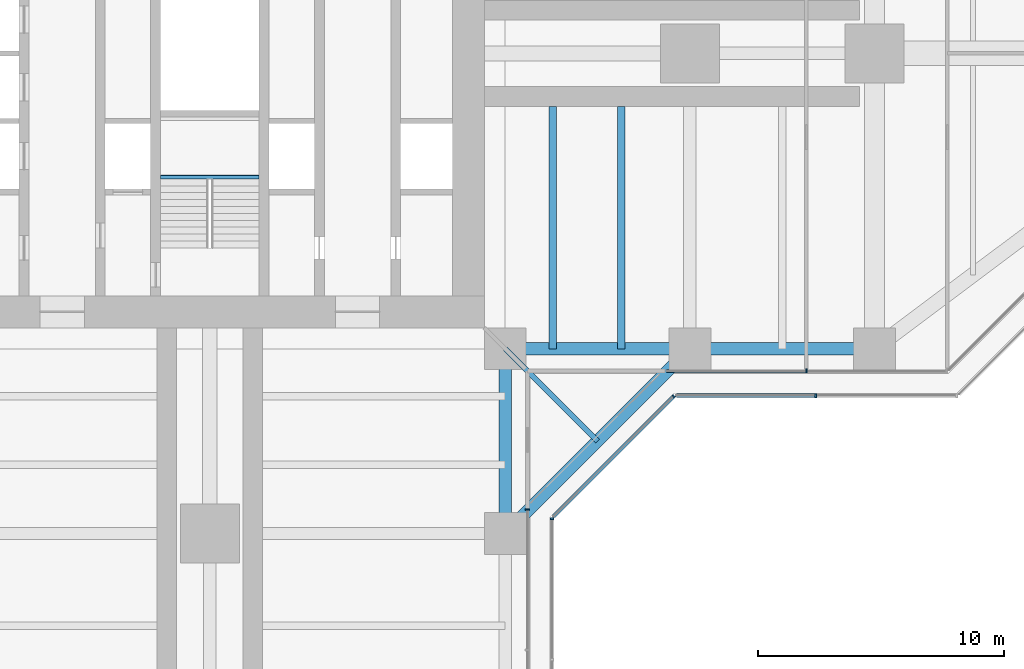
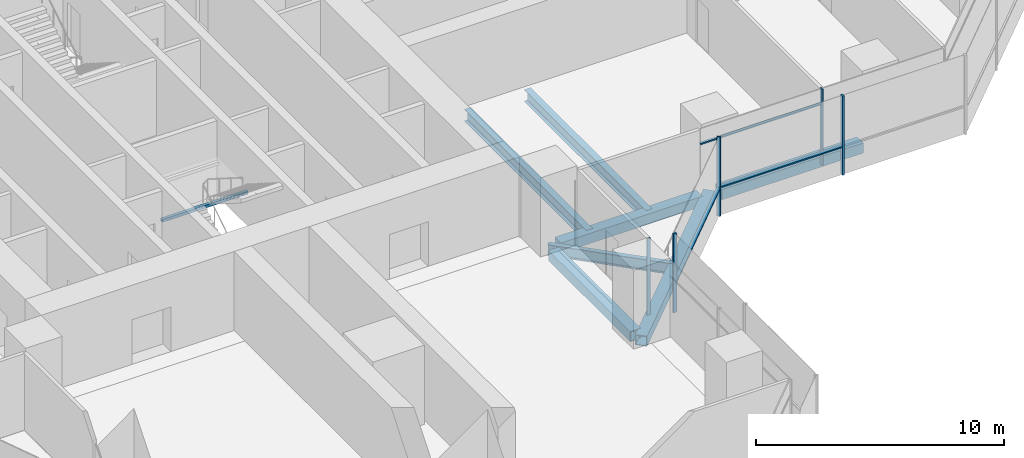
# One storey, part 6 of 22: 8 beams, 8 members, 5 elements without a shape of their own.
"""IFC4 building model written with IfcOpenShell, lengths in metres."""

from ifc_helpers import new_model, si_unit, direction, frame, origin, origin_2d, place, context, subcontext, project, spatial, rectangle, hollow_rectangle, i_section, extrude, material, material_profile, profile_set, type_object, element, aggregate, save


model = new_model("IFC4")

# Units and contexts
model_context = context("Model", 3, precision=1e-05, world=origin(), true_north=direction((0.0, 1.0)))
body_context = subcontext(model_context, "Body", "Model", "MODEL_VIEW")
ifc_project = project(units=[si_unit("LENGTHUNIT", "METRE"), si_unit("AREAUNIT", "SQUARE_METRE"), si_unit("VOLUMEUNIT", "CUBIC_METRE"), si_unit("PLANEANGLEUNIT", "RADIAN"), si_unit("MASSUNIT", "GRAM", prefix="KILO")], contexts=[model_context])

# Site, building, storey
site_placement = place(None, origin())
site = spatial("IfcSite", under=ifc_project, at=site_placement, CompositionType="ELEMENT")
building_placement = place(site_placement, origin())
building = spatial("IfcBuilding", under=site, at=building_placement, Name="Mizan Broadcast Tower", CompositionType="ELEMENT")
storey_placement = place(building_placement, frame((0.0, 0.0, 70.800048828125)))
storey = spatial("IfcBuildingStorey", under=building, at=storey_placement, Name="L14", CompositionType="ELEMENT", Elevation=70.800048828125)

# Beams
ifc_material_1 = material(Name="Steel S355", Category="steel")
ifc_material_profile_1 = material_profile(ifc_material_1, hollow_rectangle(XDim=0.5, YDim=0.5, WallThickness=0.030029296875, at=origin_2d()), Name="BOX 500x500x30")
ifc_profile_set_1 = profile_set([ifc_material_profile_1], Name="Steel S355")
beam_type_1 = type_object("IfcBeamType", Name="EDGE BEAM BOX 500x500x30", PredefinedType="SPANDREL", material=ifc_profile_set_1)
for number, where, z_axis, x_axis, name in (
    (1, (12.449951171875, -12.0, -0.380126953125), (1.0, 0.0, 0.0), (0.0, 1.0, 0.0), "Edge beam BOX 500x500x30 L14 east arm"),
    (2, (19.949951171875, -12.0, -0.380126953125), (1.0, 0.0, 0.0), (0.0, 1.0, 0.0), "Edge beam BOX 500x500x30 L14 east arm"),
    (3, (12.0, -12.449951171875, -0.380126953125), (0.0, -1.0, 0.0), (1.0, 0.0, 0.0), "Edge beam BOX 500x500x30 L14 south arm"),
):
    element("IfcBeam", number, at=place(storey_placement, frame(where, z_axis=z_axis, x_axis=x_axis)), inside=storey, type_object=beam_type_1, Name=name, PredefinedType="SPANDREL", context=body_context, shape_type="SweptSolid", body=[
        extrude(hollow_rectangle(XDim=0.5, YDim=0.5, WallThickness=0.030029296875, at=origin_2d()), origin(), (0.0, 0.0, 1.0), 6.60009765625),
    ])
beam_1_placement = place(storey_placement, frame((12.0, -19.5, -0.380126953125), z_axis=(0.707106781187, 0.707106781187, 0.0), x_axis=(-0.707106781187, 0.707106781187, 0.0)))
element("IfcBeam", 4, at=beam_1_placement, inside=storey, type_object=beam_type_1, Name="Winter garden edge beam L14 S", PredefinedType="SPANDREL", context=body_context, shape_type="SweptSolid", body=[
    extrude(hollow_rectangle(XDim=0.5, YDim=0.5, WallThickness=0.030029296875, at=origin_2d()), origin(), (0.0, 0.0, 1.0), 10.606689453125),
])

# Curtain wall, member
ifc_material_2 = material(Name="Aluminium framed glazing", Category="aluminium")
curtain_wall_type_1 = type_object("IfcCurtainWallType", Name="INNER SKIN LOW ZONE", PredefinedType="USERDEFINED", material=ifc_material_2)
curtain_wall_1_placement = place(storey_placement, origin())
curtain_wall_1 = element("IfcCurtainWall", 5, at=curtain_wall_1_placement, inside=storey, type_object=curtain_wall_type_1, Name="Inner skin low zone L14 E side", ObjectType="INNER SKIN LOW ZONE", PredefinedType="USERDEFINED")
ifc_material_3 = material(Name="Aluminium, pale anodised", Category="aluminium")
ifc_material_profile_2 = material_profile(ifc_material_3, rectangle(XDim=0.159912109375, YDim=0.06005859375, at=origin_2d()), Name="MULLION 160x60")
ifc_profile_set_2 = profile_set([ifc_material_profile_2], Name="Aluminium, pale anodised")
member_type_1 = type_object("IfcMemberType", Name="INNER SKIN MULLION 60x160", PredefinedType="MULLION", material=ifc_profile_set_2)
member_1_placement = place(storey_placement, frame((24.229248046875, -12.89990234375, 0.0), z_axis=(0.0, 0.0, 1.0), x_axis=(0.0, 1.0, 0.0)))
member_1 = element("IfcMember", 6, at=member_1_placement, type_object=member_type_1, Name="Inner skin low zone L14 E side mullion 2", PredefinedType="MULLION", context=body_context, shape_type="SweptSolid", body=[
    extrude(rectangle(XDim=0.159912109375, YDim=0.06005859375, at=origin_2d()), origin(), (0.0, 0.0, 1.0), 3.77001953125),
])

curtain_wall_2_placement = place(storey_placement, origin())
curtain_wall_2 = element("IfcCurtainWall", 7, at=curtain_wall_2_placement, inside=storey, type_object=curtain_wall_type_1, Name="Inner skin low zone L14 S side", ObjectType="INNER SKIN LOW ZONE", PredefinedType="USERDEFINED")
member_2_placement = place(storey_placement, frame((12.89990234375, -18.530029296875, 0.0), z_axis=(0.0, 0.0, 1.0), x_axis=(-1.0, 0.0, 0.0)))
member_2 = element("IfcMember", 8, at=member_2_placement, type_object=member_type_1, Name="Inner skin low zone L14 S side mullion 3", PredefinedType="MULLION", context=body_context, shape_type="SweptSolid", body=[
    extrude(rectangle(XDim=0.159912109375, YDim=0.06005859375, at=origin_2d()), origin(), (0.0, 0.0, 1.0), 3.77001953125),
])
aggregate(curtain_wall_2, [member_2])

# Member
ifc_material_4 = material(Name="Aluminium, pale anodised", Category="aluminium")
ifc_material_profile_3 = material_profile(ifc_material_4, rectangle(XDim=0.1201171875, YDim=0.06005859375, at=origin_2d()), Name="TRANSOM 120x60")
ifc_profile_set_3 = profile_set([ifc_material_profile_3], Name="Aluminium, pale anodised")
member_type_2 = type_object("IfcMemberType", Name="INNER SKIN TRANSOM 60x120", PredefinedType="USERDEFINED", material=ifc_profile_set_3)
member_3_placement = place(storey_placement, frame((18.56005859375, -12.89990234375, 3.030029296875), z_axis=(1.0, 0.0, 0.0), x_axis=(0.0, 1.0, 0.0)))
member_3 = element("IfcMember", 9, at=member_3_placement, type_object=member_type_2, Name="Inner skin low zone L14 E side transom 1.1", ObjectType="TRANSOM", PredefinedType="USERDEFINED", context=body_context, shape_type="SweptSolid", body=[
    extrude(rectangle(XDim=0.1201171875, YDim=0.06005859375, at=origin_2d()), origin(), (0.0, 0.0, 1.0), 5.63916015625),
])

aggregate(curtain_wall_1, [member_1, member_3])

# Beam
ifc_material_5 = material(Name="Steel S355", Category="steel")
ifc_material_profile_4 = material_profile(ifc_material_5, hollow_rectangle(XDim=0.14990234375, YDim=0.14990234375, WallThickness=0.008056640625, InnerFilletRadius=0.008056640625, OuterFilletRadius=0.011962890625, at=origin_2d()), Name="SHS 150x150x8")
ifc_profile_set_4 = profile_set([ifc_material_profile_4], Name="Steel S355")
beam_type_2 = type_object("IfcBeamType", Name="LANDING TRIMMER SHS 150x150x8", PredefinedType="BEAM", material=ifc_profile_set_4)
beam_2_placement = place(storey_placement, frame((-2.0, -5.02490234375, 1.675048828125), z_axis=(1.0, 0.0, 0.0), x_axis=(0.0, 1.0, 0.0)))
element("IfcBeam", 10, at=beam_2_placement, inside=storey, type_object=beam_type_2, Name="Stair A landing trimmer L14", PredefinedType="BEAM", context=body_context, shape_type="SweptSolid", body=[
    extrude(hollow_rectangle(XDim=0.14990234375, YDim=0.14990234375, WallThickness=0.008056640625, InnerFilletRadius=0.008056640625, OuterFilletRadius=0.011962890625, at=origin_2d()), origin(), (0.0, 0.0, 1.0), 4.0),
])

# Curtain wall, member
ifc_material_6 = material(Name="Aluminium framed glazing", Category="aluminium")
curtain_wall_type_2 = type_object("IfcCurtainWallType", Name="OUTER SKIN", PredefinedType="USERDEFINED", material=ifc_material_6)
curtain_wall_3_placement = place(storey_placement, origin())
curtain_wall_3 = element("IfcCurtainWall", 11, at=curtain_wall_3_placement, inside=storey, type_object=curtain_wall_type_2, Name="Outer skin L14 S side", ObjectType="OUTER SKIN", PredefinedType="USERDEFINED")
ifc_material_7 = material(Name="Aluminium, pale anodised", Category="aluminium")
ifc_material_profile_5 = material_profile(ifc_material_7, rectangle(XDim=0.159912109375, YDim=0.080078125, at=origin_2d()), Name="MULLION 160x80")
ifc_profile_set_5 = profile_set([ifc_material_profile_5], Name="Aluminium, pale anodised")
member_type_3 = type_object("IfcMemberType", Name="OUTER SKIN MULLION 80x160", PredefinedType="MULLION", material=ifc_profile_set_5)
member_4_placement = place(storey_placement, frame((13.89990234375, -18.912841796875, 0.0), z_axis=(0.0, 0.0, 1.0), x_axis=(-1.0, 0.0, 0.0)))
member_4 = element("IfcMember", 12, at=member_4_placement, type_object=member_type_3, Name="Outer skin L14 S side mullion 3", PredefinedType="MULLION", context=body_context, shape_type="SweptSolid", body=[
    extrude(rectangle(XDim=0.159912109375, YDim=0.080078125, at=origin_2d()), origin(), (0.0, 0.0, 1.0), 3.89990234375),
])
aggregate(curtain_wall_3, [member_4])

curtain_wall_4_placement = place(storey_placement, origin())
curtain_wall_4 = element("IfcCurtainWall", 13, at=curtain_wall_4_placement, inside=storey, type_object=curtain_wall_type_2, Name="Outer skin L14 E chamfer", ObjectType="OUTER SKIN", PredefinedType="USERDEFINED")
member_5_placement = place(storey_placement, frame((18.844482421875, -13.92822265625, 0.0), z_axis=(0.0, 0.0, 1.0), x_axis=(-0.707106781187, 0.707106781187, 0.0)))
member_5 = element("IfcMember", 14, at=member_5_placement, type_object=member_type_3, Name="Outer skin L14 E chamfer mullion 2", PredefinedType="MULLION", context=body_context, shape_type="SweptSolid", body=[
    extrude(rectangle(XDim=0.159912109375, YDim=0.080078125, at=origin_2d()), origin(), (0.0, 0.0, 1.0), 3.89990234375),
])

curtain_wall_5_placement = place(storey_placement, origin())
curtain_wall_5 = element("IfcCurtainWall", 15, at=curtain_wall_5_placement, inside=storey, type_object=curtain_wall_type_2, Name="Outer skin L14 E side", ObjectType="OUTER SKIN", PredefinedType="USERDEFINED")
member_6_placement = place(storey_placement, frame((24.622802734375, -13.89990234375, 0.0), z_axis=(0.0, 0.0, 1.0), x_axis=(0.0, 1.0, 0.0)))
member_6 = element("IfcMember", 16, at=member_6_placement, type_object=member_type_3, Name="Outer skin L14 E side mullion 2", PredefinedType="MULLION", context=body_context, shape_type="SweptSolid", body=[
    extrude(rectangle(XDim=0.159912109375, YDim=0.080078125, at=origin_2d()), origin(), (0.0, 0.0, 1.0), 3.89990234375),
])

# Member
ifc_material_8 = material(Name="Aluminium, pale anodised", Category="aluminium")
ifc_material_profile_6 = material_profile(ifc_material_8, rectangle(XDim=0.159912109375, YDim=0.06005859375, at=origin_2d()), Name="TRANSOM 160x60")
ifc_profile_set_6 = profile_set([ifc_material_profile_6], Name="Aluminium, pale anodised")
member_type_4 = type_object("IfcMemberType", Name="OUTER SKIN TRANSOM 60x160", PredefinedType="USERDEFINED", material=ifc_profile_set_6)
member_7_placement = place(storey_placement, frame((13.95654296875, -18.816162109375, 1.39990234375), z_axis=(0.707106781187, 0.707106781187, 0.0), x_axis=(-0.707106781187, 0.707106781187, 0.0)))
member_7 = element("IfcMember", 17, at=member_7_placement, type_object=member_type_4, Name="Outer skin L14 E chamfer transom 1.1", ObjectType="TRANSOM", PredefinedType="USERDEFINED", context=body_context, shape_type="SweptSolid", body=[
    extrude(rectangle(XDim=0.159912109375, YDim=0.06005859375, at=origin_2d()), origin(), (0.0, 0.0, 1.0), 6.87255859375),
])

aggregate(curtain_wall_4, [member_5, member_7])

member_8_placement = place(storey_placement, frame((18.952880859375, -13.89990234375, 1.39990234375), z_axis=(1.0, 0.0, 0.0), x_axis=(0.0, 1.0, 0.0)))
member_8 = element("IfcMember", 18, at=member_8_placement, type_object=member_type_4, Name="Outer skin L14 E side transom 1.1", ObjectType="TRANSOM", PredefinedType="USERDEFINED", context=body_context, shape_type="SweptSolid", body=[
    extrude(rectangle(XDim=0.159912109375, YDim=0.06005859375, at=origin_2d()), origin(), (0.0, 0.0, 1.0), 5.6298828125),
])

aggregate(curtain_wall_5, [member_6, member_8])

# Beams
ifc_material_9 = material(Name="Steel S355", Category="steel")
ifc_material_profile_7 = material_profile(ifc_material_9, i_section(OverallWidth=0.300048828125, OverallDepth=0.590087890625, WebThickness=0.012939453125, FlangeThickness=0.02490234375, FilletRadius=0.027099609375, at=origin_2d()), Name="HEA 600")
ifc_profile_set_7 = profile_set([ifc_material_profile_7], Name="Steel S355")
beam_type_3 = type_object("IfcBeamType", Name="SECONDARY BEAM HEA 600", PredefinedType="JOIST", material=ifc_profile_set_7)
for number, where, z_axis, x_axis, name in (
    (19, (13.933349609375, -12.0, -0.425048828125), (0.0, 1.0, 0.0), (-1.0, 0.0, 0.0), "Secondary beam HEA 600 L14 east arm"),
    (20, (16.716552734375, -12.0, -0.425048828125), (0.0, 1.0, 0.0), (-1.0, 0.0, 0.0), "Secondary beam HEA 600 L14 east arm"),
):
    element("IfcBeam", number, at=place(storey_placement, frame(where, z_axis=z_axis, x_axis=x_axis)), inside=storey, type_object=beam_type_3, Name=name, PredefinedType="JOIST", context=body_context, shape_type="SweptSolid", body=[
        extrude(i_section(OverallWidth=0.300048828125, OverallDepth=0.590087890625, WebThickness=0.012939453125, FlangeThickness=0.02490234375, FilletRadius=0.027099609375, at=origin_2d()), origin(), (0.0, 0.0, 1.0), 9.85009765625),
    ])
ifc_material_10 = material(Name="Steel S355", Category="steel")
ifc_material_profile_8 = material_profile(ifc_material_10, i_section(OverallWidth=0.2099609375, OverallDepth=0.550048828125, WebThickness=0.010986328125, FlangeThickness=0.01708984375, FilletRadius=0.02392578125, at=origin_2d()), Name="IPE 550")
ifc_profile_set_8 = profile_set([ifc_material_profile_8], Name="Steel S355")
beam_type_4 = type_object("IfcBeamType", Name="SECONDARY BEAM IPE 550", PredefinedType="JOIST", material=ifc_profile_set_8)
beam_3_placement = place(storey_placement, frame((12.0, -12.0, -0.405029296875), z_axis=(0.707106781187, -0.707106781187, 0.0), x_axis=(0.707106781187, 0.707106781187, 0.0)))
element("IfcBeam", 21, at=beam_3_placement, inside=storey, type_object=beam_type_4, Name="Winter garden beam L14 S", PredefinedType="JOIST", context=body_context, shape_type="SweptSolid", body=[
    extrude(i_section(OverallWidth=0.2099609375, OverallDepth=0.550048828125, WebThickness=0.010986328125, FlangeThickness=0.01708984375, FilletRadius=0.02392578125, at=origin_2d()), origin(), (0.0, 0.0, 1.0), 5.30322265625),
])

save(model, "model.ifc")
